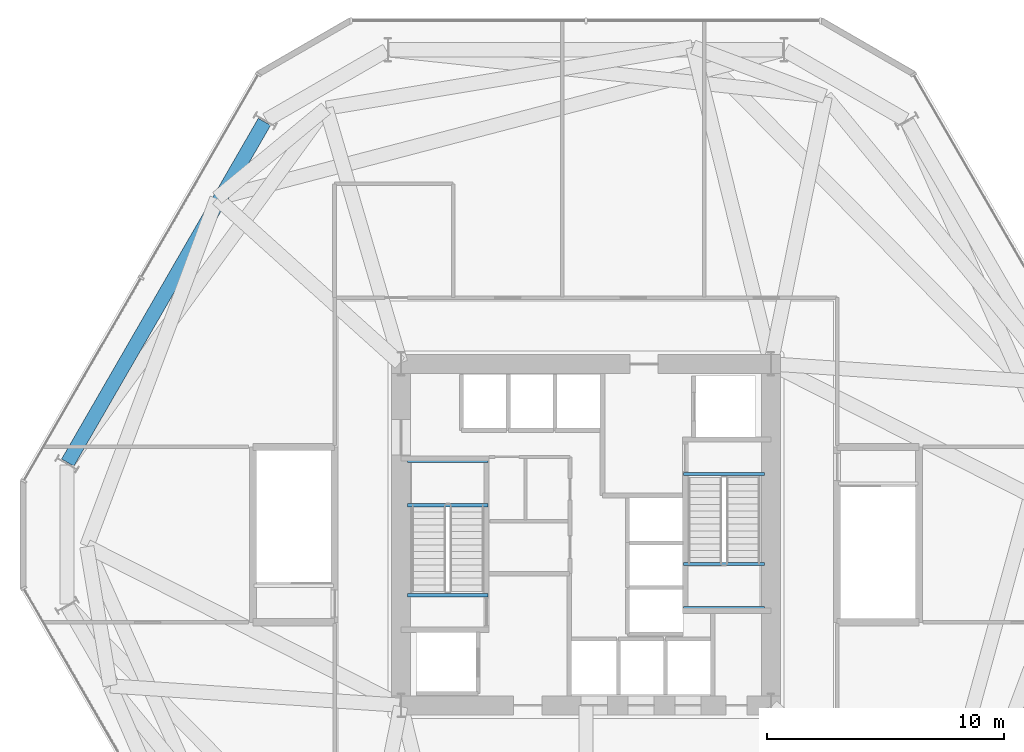
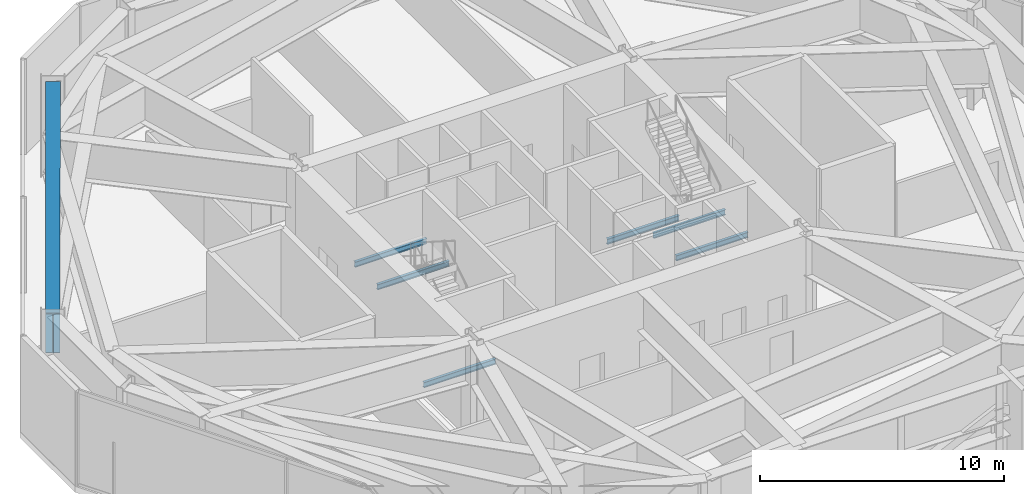
# One storey, part 6 of 16: 7 beams.
"""IFC4 building model written with IfcOpenShell, lengths in metres."""

from ifc_helpers import new_model, si_unit, direction, frame, origin, origin_2d, place, context, subcontext, project, spatial, i_section, extrude, material, material_profile, profile_set, type_object, element, save


model = new_model("IFC4")

# Units and contexts
model_context = context("Model", 3, precision=1e-05, world=origin(), true_north=direction((0.0, 1.0)))
body_context = subcontext(model_context, "Body", "Model", "MODEL_VIEW")
ifc_project = project(units=[si_unit("LENGTHUNIT", "METRE"), si_unit("AREAUNIT", "SQUARE_METRE"), si_unit("VOLUMEUNIT", "CUBIC_METRE"), si_unit("PLANEANGLEUNIT", "RADIAN"), si_unit("MASSUNIT", "GRAM", prefix="KILO")], contexts=[model_context])

# Site, building, storey
site_placement = place(None, origin())
site = spatial("IfcSite", under=ifc_project, at=site_placement, CompositionType="ELEMENT")
building_placement = place(site_placement, origin())
building = spatial("IfcBuilding", under=site, at=building_placement, Name="Kranzbogen Civic Tower", CompositionType="ELEMENT")
storey_placement = place(building_placement, frame((0.0, 0.0, 19.0)))
storey = spatial("IfcBuildingStorey", under=building, at=storey_placement, Name="L04", CompositionType="ELEMENT", Elevation=19.0)

# Beams
ifc_material_1 = material(Name="Steel S355", Category="steel")
ifc_material_profile_1 = material_profile(ifc_material_1, i_section(OverallWidth=0.135009765625, OverallDepth=0.27001953125, WebThickness=0.006591796875, FlangeThickness=0.01025390625, at=origin_2d()), Name="IPE 270")
ifc_profile_set_1 = profile_set([ifc_material_profile_1], Name="Steel S355")
beam_type_1 = type_object("IfcBeamType", Name="Stair Landing Support Beam IPE 270", PredefinedType="JOIST", material=ifc_profile_set_1)
for number, where, z_axis, x_axis, name in (
    (1, (20.8798828125, 22.43994140625, -0.43505859375), (-1.0, 0.0, 0.0), (0.0, -1.0, 0.0), "L04 ST-T1 stair floor header beam"),
    (2, (20.8798828125, 26.239990234375, 2.1650390625), (-1.0, 0.0, 0.0), (0.0, -1.0, 0.0), "L04 ST-T1 landing support beam 1.1"),
    (3, (20.8798828125, 28.10009765625, 2.1650390625), (-1.0, 0.0, 0.0), (0.0, -1.0, 0.0), "L04 ST-T1 landing support beam 1.2"),
    (4, (29.1201171875, 27.56005859375, -0.43505859375), (1.0, 0.0, 0.0), (0.0, 1.0, 0.0), "L04 ST-T2 stair floor header beam"),
    (5, (29.1201171875, 23.760009765625, 2.1650390625), (1.0, 0.0, 0.0), (0.0, 1.0, 0.0), "L04 ST-T2 landing support beam 1.1"),
    (6, (29.1201171875, 21.89990234375, 2.1650390625), (1.0, 0.0, 0.0), (0.0, 1.0, 0.0), "L04 ST-T2 landing support beam 1.2"),
):
    element("IfcBeam", number, at=place(storey_placement, frame(where, z_axis=z_axis, x_axis=x_axis)), inside=storey, type_object=beam_type_1, Name=name, PredefinedType="JOIST", context=body_context, shape_type="SweptSolid", body=[
        extrude(i_section(OverallWidth=0.135009765625, OverallDepth=0.27001953125, WebThickness=0.006591796875, FlangeThickness=0.01025390625, at=origin_2d()), origin(), (0.0, 0.0, 1.0), 3.409912109375),
    ])
ifc_material_2 = material(Name="Steel S460", Category="steel")
ifc_material_profile_2 = material_profile(ifc_material_2, i_section(OverallWidth=0.60009765625, OverallDepth=2.0, WebThickness=0.028076171875, FlangeThickness=0.0400390625, at=origin_2d()), Name="WPG 2000x600x28x40")
ifc_profile_set_2 = profile_set([ifc_material_profile_2], Name="Steel S460")
beam_type_2 = type_object("IfcBeamType", Name="Welded Transfer Girder WPG 2000x600x28x40", PredefinedType="BEAM", material=ifc_profile_set_2)
beam_placement = place(storey_placement, frame((11.43896484375, 42.412109375, 3.760009765625), z_axis=(-0.500010210561, -0.866019508634, 0.0), x_axis=(0.866019508634, -0.500010210561, 0.0)))
element("IfcBeam", 7, at=beam_placement, inside=storey, type_object=beam_type_2, Name="TG-2000: L04 lower perimeter transfer ring girder 11", PredefinedType="BEAM", context=body_context, shape_type="SweptSolid", body=[
    extrude(i_section(OverallWidth=0.60009765625, OverallDepth=2.0, WebThickness=0.028076171875, FlangeThickness=0.0400390625, at=origin_2d()), origin(), (0.0, 0.0, 1.0), 16.597900390625),
])

save(model, "model.ifc")
